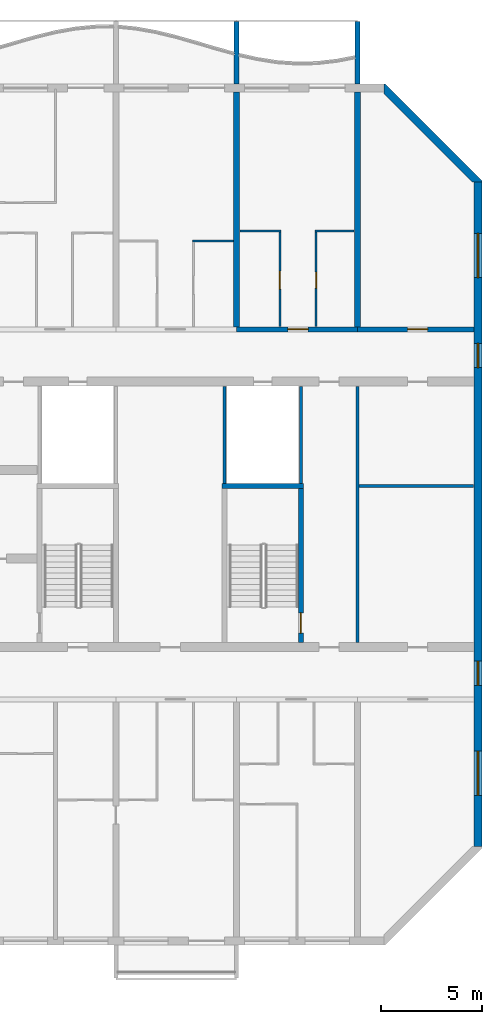
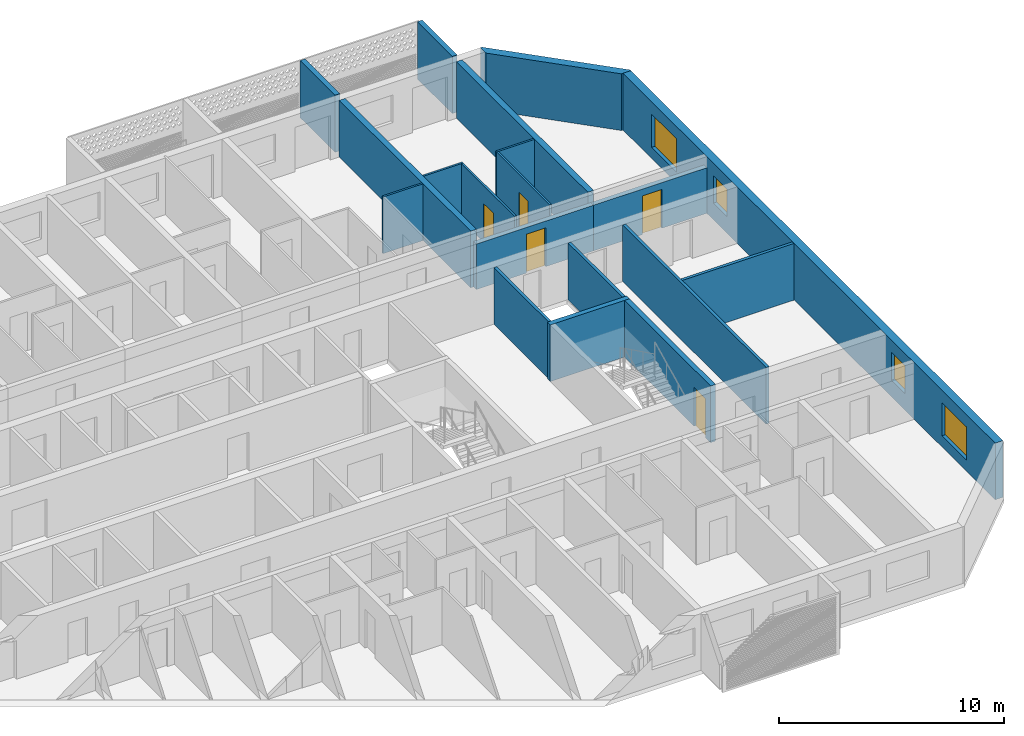
# One storey, part 13 of 33: 19 walls, 5 doors, 4 windows, 9 openings.
"""IFC4 building model written with IfcOpenShell, lengths in metres."""

from ifc_helpers import new_model, si_unit, direction, frame, frame_2d, origin, place, context, subcontext, project, spatial, polyline, rectangle, outline, extrude, source, transform, mapped, material, layer, layer_set, type_object, element, fill, save


model = new_model("IFC4")

# Units and contexts
model_context = context("Model", 3, precision=1e-05, world=origin(), true_north=direction((0.0, 1.0)))
body_context = subcontext(model_context, "Body", "Model", "MODEL_VIEW")
ifc_project = project(units=[si_unit("LENGTHUNIT", "METRE"), si_unit("AREAUNIT", "SQUARE_METRE"), si_unit("VOLUMEUNIT", "CUBIC_METRE"), si_unit("PLANEANGLEUNIT", "RADIAN"), si_unit("MASSUNIT", "GRAM", prefix="KILO")], contexts=[model_context])

# Site, building, storey
site_placement = place(None, origin())
site = spatial("IfcSite", under=ifc_project, at=site_placement, CompositionType="ELEMENT")
building_placement = place(site_placement, origin())
building = spatial("IfcBuilding", under=site, at=building_placement, Name="Poui Terraces", CompositionType="ELEMENT")
storey_placement = place(building_placement, frame((0.0, 0.0, 132.300048828125)))
storey = spatial("IfcBuildingStorey", under=building, at=storey_placement, Name="L36", CompositionType="ELEMENT", Elevation=132.300048828125)

# Wall
ifc_material_1 = material(Name="Fire-rated plasterboard wall")
ifc_layer_1 = layer(ifc_material_1, 0.14990234375)
ifc_layer_set_1 = layer_set([ifc_layer_1], Name="Fire-rated plasterboard wall")
wall_type_1 = type_object("IfcWallType", Name="CORRIDOR WALL 150", PredefinedType="PARTITIONING", material=ifc_layer_set_1)
wall_1_placement = place(storey_placement, frame((84.0, 14.8349609375, 0.0), z_axis=(0.0, 0.0, 1.0), x_axis=(0.0, 1.0, 0.0)))
element("IfcWall", 1, at=wall_1_placement, inside=storey, type_object=wall_type_1, Name="CORRIDOR WALL 150", PredefinedType="PARTITIONING", context=body_context, shape_type="SweptSolid", body=[
    extrude(rectangle(XDim=12.72998046875, YDim=0.14990234375, at=frame_2d((6.364990234375, 0.0))), origin(), (0.0, 0.0, 1.0), 3.070068359375),
])

# Wall, opening, door
ifc_material_2 = material(Name="Concrete 65 MPa", Category="concrete")
ifc_layer_2 = layer(ifc_material_2, 0.25)
ifc_layer_set_2 = layer_set([ifc_layer_2], Name="Concrete 65 MPa")
wall_type_2 = type_object("IfcWallType", Name="CORRIDOR WALL 250 65MPa", PredefinedType="SHEAR", material=ifc_layer_set_2)
wall_2_placement = place(storey_placement, frame((78.0, 30.39990234375, 0.0), z_axis=(0.0, 0.0, 1.0), x_axis=(1.0, 0.0, 0.0)))
wall_2 = element("IfcWall", 2, at=wall_2_placement, inside=storey, type_object=wall_type_2, Name="CORRIDOR WALL LINE E BAY 12", PredefinedType="SHEAR", context=body_context, shape_type="SweptSolid", body=[
    extrude(rectangle(XDim=6.0, YDim=0.25, at=frame_2d((3.0, 0.0))), origin(), (0.0, 0.0, 1.0), 2.469970703125),
])
opening_1_placement = place(wall_2_placement, frame((2.550048828125, 0.0, 0.0)))
opening_1 = element("IfcOpeningElement", 3, at=opening_1_placement, cuts=wall_2, Name="Opening FD30S", PredefinedType="OPENING", context=body_context, shape_type="SweptSolid", body=[
    extrude(rectangle(XDim=1.0, YDim=2.10009765625, at=frame_2d((0.5, 1.050048828125))), frame((0.0, 0.135009765625, 0.0), z_axis=(0.0, -1.0, 0.0), x_axis=(1.0, 0.0, 0.0)), (0.0, 0.0, 1.0), 0.27001953125),
])
ifc_material_3 = material(Name="Steel fire door", Category="steel")
door_type_1 = type_object("IfcDoorType", Name="FLAT ENTRANCE DOOR 1000 X 2100", OperationType="NOTDEFINED", PredefinedType="DOOR", material=ifc_material_3)
door_1_placement = place(opening_1_placement, origin())
door_1 = element("IfcDoor", 4, at=door_1_placement, inside=storey, type_object=door_type_1, Name="FLAT ENTRANCE DOOR 071", OperationType="SINGLE_SWING_RIGHT", OverallHeight=2.10009765625, OverallWidth=1.0, PredefinedType="DOOR", context=body_context, shape_type="SweptSolid", body=[
    extrude(rectangle(XDim=1.0, YDim=2.10009765625, at=frame_2d((0.5, 1.050048828125))), frame((0.0, 0.02490234375, 0.0), z_axis=(0.0, -1.0, 0.0), x_axis=(1.0, 0.0, 0.0)), (0.0, 0.0, 1.0), 0.050048828125),
])
fill(opening_1, door_1)

wall_3_placement = place(storey_placement, frame((84.0, 30.39990234375, 0.0), z_axis=(0.0, 0.0, 1.0), x_axis=(1.0, 0.0, 0.0)))
wall_3 = element("IfcWall", 5, at=wall_3_placement, inside=storey, type_object=wall_type_2, Name="CORRIDOR WALL LINE E BAY 13", PredefinedType="SHEAR", context=body_context, shape_type="SweptSolid", body=[
    extrude(rectangle(XDim=5.800048828125, YDim=0.25, at=frame_2d((2.89990234375, 0.0))), origin(), (0.0, 0.0, 1.0), 2.469970703125),
])
opening_2_placement = place(wall_3_placement, frame((2.5, 0.0, 0.0)))
opening_2 = element("IfcOpeningElement", 6, at=opening_2_placement, cuts=wall_3, Name="Opening D100", PredefinedType="OPENING", context=body_context, shape_type="SweptSolid", body=[
    extrude(rectangle(XDim=1.0, YDim=2.10009765625, at=frame_2d((0.5, 1.050048828125))), frame((0.0, 0.135009765625, 0.0), z_axis=(0.0, -1.0, 0.0), x_axis=(1.0, 0.0, 0.0)), (0.0, 0.0, 1.0), 0.27001953125),
])
ifc_material_4 = material(Name="Solid core timber door", Category="wood")
door_type_2 = type_object("IfcDoorType", Name="ACCESSIBLE INTERNAL DOOR 1000 X 2100", OperationType="NOTDEFINED", PredefinedType="DOOR", material=ifc_material_4)
door_2_placement = place(opening_2_placement, origin())
door_2 = element("IfcDoor", 7, at=door_2_placement, inside=storey, type_object=door_type_2, Name="ACCESSIBLE INTERNAL DOOR 073", OperationType="SINGLE_SWING_LEFT", OverallHeight=2.10009765625, OverallWidth=1.0, PredefinedType="DOOR", context=body_context, shape_type="SweptSolid", body=[
    extrude(rectangle(XDim=1.0, YDim=2.10009765625, at=frame_2d((0.5, 1.050048828125))), frame((0.0, 0.02490234375, 0.0), z_axis=(0.0, -1.0, 0.0), x_axis=(1.0, 0.0, 0.0)), (0.0, 0.0, 1.0), 0.050048828125),
])
fill(opening_2, door_2)

# Walls
ifc_layer_3 = layer(ifc_material_2, 0.300048828125)
ifc_layer_set_3 = layer_set([ifc_layer_3], Name="Concrete 65 MPa")
wall_type_3 = type_object("IfcWallType", Name="CROSS WALL 300 65MPa", PredefinedType="SHEAR", material=ifc_layer_set_3)
for number, where, z_axis, x_axis, name in (
    (8, (78.0, 30.52490234375, 0.0), (0.0, 0.0, 1.0), (0.0, 1.0, 0.0), "CROSS WALL LINE 14 NORTH"),
    (9, (84.0, 30.52490234375, 0.0), (0.0, 0.0, 1.0), (0.0, 1.0, 0.0), "CROSS WALL LINE 15 NORTH"),
):
    element("IfcWall", number, at=place(storey_placement, frame(where, z_axis=z_axis, x_axis=x_axis)), inside=storey, type_object=wall_type_3, Name=name, PredefinedType="SHEAR", context=body_context, shape_type="SweptSolid", body=[
        extrude(rectangle(XDim=11.675048828125, YDim=0.300048828125, at=frame_2d((5.83740234375, 0.0))), origin(), (0.0, 0.0, 1.0), 3.070068359375),
    ])

# Wall, openings, windows
ifc_layer_4 = layer(ifc_material_2, 0.39990234375)
ifc_layer_set_4 = layer_set([ifc_layer_4], Name="Concrete 65 MPa")
wall_type_4 = type_object("IfcWallType", Name="END WALL 400 65MPa", PredefinedType="SHEAR", material=ifc_layer_set_4)
wall_4_placement = place(storey_placement, frame((90.0, 4.682861328125, 0.0), z_axis=(0.0, 0.0, 1.0), x_axis=(0.0, 1.0, 0.0)))
wall_4 = element("IfcWall", 10, at=wall_4_placement, inside=storey, type_object=wall_type_4, Name="END WALL EAST", PredefinedType="SHEAR", context=body_context, shape_type="SweptSolid", body=[
    extrude(rectangle(XDim=33.034423828125, YDim=0.39990234375, at=frame_2d((16.51708984375, 0.0))), origin(), (0.0, 0.0, 1.0), 3.070068359375),
])
opening_3_placement = place(wall_4_placement, frame((23.817138671875, 0.0, 0.89990234375)))
opening_3 = element("IfcOpeningElement", 11, at=opening_3_placement, cuts=wall_4, Name="Opening W2", PredefinedType="OPENING", context=body_context, shape_type="SweptSolid", body=[
    extrude(rectangle(XDim=1.199951171875, YDim=1.5, at=frame_2d((0.60009765625, 0.75))), frame((0.0, 0.2099609375, 0.0), z_axis=(0.0, -1.0, 0.0), x_axis=(1.0, 0.0, 0.0)), (0.0, 0.0, 1.0), 0.419921875),
])
opening_4_placement = place(wall_4_placement, frame((8.01708984375, 0.0, 0.89990234375)))
opening_4 = element("IfcOpeningElement", 12, at=opening_4_placement, cuts=wall_4, Name="Opening W2", PredefinedType="OPENING", context=body_context, shape_type="SweptSolid", body=[
    extrude(rectangle(XDim=1.199951171875, YDim=1.5, at=frame_2d((0.60009765625, 0.75))), frame((0.0, 0.2099609375, 0.0), z_axis=(0.0, -1.0, 0.0), x_axis=(1.0, 0.0, 0.0)), (0.0, 0.0, 1.0), 0.419921875),
])
opening_5_placement = place(wall_4_placement, frame((28.29345703125, 0.0, 0.60009765625)))
opening_5 = element("IfcOpeningElement", 13, at=opening_5_placement, cuts=wall_4, Name="Opening W3", PredefinedType="OPENING", context=body_context, shape_type="SweptSolid", body=[
    extrude(rectangle(XDim=2.199951171875, YDim=1.800048828125, at=frame_2d((1.10009765625, 0.89990234375))), frame((0.0, 0.2099609375, 0.0), z_axis=(0.0, -1.0, 0.0), x_axis=(1.0, 0.0, 0.0)), (0.0, 0.0, 1.0), 0.419921875),
])
opening_6_placement = place(wall_4_placement, frame((2.541015625, 0.0, 0.60009765625)))
opening_6 = element("IfcOpeningElement", 14, at=opening_6_placement, cuts=wall_4, Name="Opening W3", PredefinedType="OPENING", context=body_context, shape_type="SweptSolid", body=[
    extrude(rectangle(XDim=2.199951171875, YDim=1.800048828125, at=frame_2d((1.10009765625, 0.89990234375))), frame((0.0, 0.2099609375, 0.0), z_axis=(0.0, -1.0, 0.0), x_axis=(1.0, 0.0, 0.0)), (0.0, 0.0, 1.0), 0.419921875),
])
ifc_material_5 = material(Name="Clear glass in aluminium frame", Category="aluminium")
window_type_1 = type_object("IfcWindowType", Name="WINDOW 1200X1500", PartitioningType="SINGLE_PANEL", PredefinedType="WINDOW", material=ifc_material_5)
window_1_placement = place(opening_3_placement, origin())
window_1 = element("IfcWindow", 15, at=window_1_placement, inside=storey, type_object=window_type_1, Name="W2 WINDOW", OverallHeight=1.5, OverallWidth=1.199951171875, PartitioningType="SINGLE_PANEL", PredefinedType="WINDOW", context=body_context, shape_type="SweptSolid", body=[
    extrude(rectangle(XDim=1.199951171875, YDim=1.5, at=frame_2d((0.60009765625, 0.75))), frame((0.0, 0.030029296875, 0.0), z_axis=(0.0, -1.0, 0.0), x_axis=(1.0, 0.0, 0.0)), (0.0, 0.0, 1.0), 0.06005859375),
])
fill(opening_3, window_1)
window_2_placement = place(opening_4_placement, origin())
window_2 = element("IfcWindow", 16, at=window_2_placement, inside=storey, type_object=window_type_1, Name="W2 WINDOW", OverallHeight=1.5, OverallWidth=1.199951171875, PartitioningType="SINGLE_PANEL", PredefinedType="WINDOW", context=body_context, shape_type="SweptSolid", body=[
    extrude(rectangle(XDim=1.199951171875, YDim=1.5, at=frame_2d((0.60009765625, 0.75))), frame((0.0, 0.030029296875, 0.0), z_axis=(0.0, -1.0, 0.0), x_axis=(1.0, 0.0, 0.0)), (0.0, 0.0, 1.0), 0.06005859375),
])
fill(opening_4, window_2)
window_type_2 = type_object("IfcWindowType", Name="WINDOW 2200X1800", PartitioningType="DOUBLE_PANEL_HORIZONTAL", PredefinedType="WINDOW", material=ifc_material_5)
window_3_placement = place(opening_5_placement, origin())
window_3 = element("IfcWindow", 17, at=window_3_placement, inside=storey, type_object=window_type_2, Name="W3 WINDOW", OverallHeight=1.800048828125, OverallWidth=2.199951171875, PartitioningType="DOUBLE_PANEL_HORIZONTAL", PredefinedType="WINDOW", context=body_context, shape_type="SweptSolid", body=[
    extrude(rectangle(XDim=2.199951171875, YDim=1.800048828125, at=frame_2d((1.10009765625, 0.89990234375))), frame((0.0, 0.030029296875, 0.0), z_axis=(0.0, -1.0, 0.0), x_axis=(1.0, 0.0, 0.0)), (0.0, 0.0, 1.0), 0.06005859375),
])
fill(opening_5, window_3)
window_4_placement = place(opening_6_placement, origin())
window_4 = element("IfcWindow", 18, at=window_4_placement, inside=storey, type_object=window_type_2, Name="W3 WINDOW", OverallHeight=1.800048828125, OverallWidth=2.199951171875, PartitioningType="DOUBLE_PANEL_HORIZONTAL", PredefinedType="WINDOW", context=body_context, shape_type="SweptSolid", body=[
    extrude(rectangle(XDim=2.199951171875, YDim=1.800048828125, at=frame_2d((1.10009765625, 0.89990234375))), frame((0.0, 0.030029296875, 0.0), z_axis=(0.0, -1.0, 0.0), x_axis=(1.0, 0.0, 0.0)), (0.0, 0.0, 1.0), 0.06005859375),
])
fill(opening_6, window_4)

# Walls
ifc_material_6 = material(Name="Plasterboard partition")
ifc_layer_5 = layer(ifc_material_6, 0.10009765625)
ifc_layer_set_5 = layer_set([ifc_layer_5], Name="Plasterboard partition")
wall_type_5 = type_object("IfcWallType", Name="FLAT PARTITION 100", PredefinedType="PARTITIONING", material=ifc_layer_set_5)
for number, where, z_axis, x_axis, name in (
    (19, (75.800048828125, 34.800048828125, 0.0), (0.0, 0.0, 1.0), (1.0, 0.0, 0.0), "FLAT PARTITION 100"),
    (20, (78.159912109375, 35.300048828125, 0.0), (0.0, 0.0, 1.0), (1.0, 0.0, 0.0), "FLAT PARTITION 100"),
):
    element("IfcWall", number, at=place(storey_placement, frame(where, z_axis=z_axis, x_axis=x_axis)), inside=storey, type_object=wall_type_5, Name=name, PredefinedType="PARTITIONING", context=body_context, shape_type="SweptSolid", body=[
        extrude(rectangle(XDim=2.0400390625, YDim=0.10009765625, at=frame_2d((1.02001953125, 0.0))), origin(), (0.0, 0.0, 1.0), 3.070068359375),
    ])
wall_5_placement = place(storey_placement, frame((81.89990234375, 35.300048828125, 0.0), z_axis=(0.0, 0.0, 1.0), x_axis=(1.0, 0.0, 0.0)))
element("IfcWall", 21, at=wall_5_placement, inside=storey, type_object=wall_type_5, Name="FLAT PARTITION 100", PredefinedType="PARTITIONING", context=body_context, shape_type="SweptSolid", body=[
    extrude(rectangle(XDim=1.940185546875, YDim=0.10009765625, at=frame_2d((0.97021484375, 0.0))), origin(), (0.0, 0.0, 1.0), 3.070068359375),
])

# Wall, opening, door
wall_6_placement = place(storey_placement, frame((80.14990234375, 30.534912109375, 0.0), z_axis=(0.0, 0.0, 1.0), x_axis=(0.0, 1.0, 0.0)))
wall_6 = element("IfcWall", 22, at=wall_6_placement, inside=storey, type_object=wall_type_5, Name="FLAT PARTITION 100", PredefinedType="PARTITIONING", context=body_context, shape_type="SweptSolid", body=[
    extrude(rectangle(XDim=4.715087890625, YDim=0.10009765625, at=frame_2d((2.357421875, 0.0))), origin(), (0.0, 0.0, 1.0), 3.070068359375),
])
opening_7_placement = place(wall_6_placement, frame((1.864990234375, 0.0, 0.0)))
opening_7 = element("IfcOpeningElement", 23, at=opening_7_placement, cuts=wall_6, Name="Opening D90", PredefinedType="OPENING", context=body_context, shape_type="SweptSolid", body=[
    extrude(rectangle(XDim=0.89990234375, YDim=2.10009765625, at=frame_2d((0.449951171875, 1.050048828125))), frame((0.0, 0.06005859375, 0.0), z_axis=(0.0, -1.0, 0.0), x_axis=(1.0, 0.0, 0.0)), (0.0, 0.0, 1.0), 0.1201171875),
])
door_type_3 = type_object("IfcDoorType", Name="INTERNAL DOOR 900 X 2100", OperationType="NOTDEFINED", PredefinedType="DOOR", material=ifc_material_4)
door_3_placement = place(opening_7_placement, origin())
door_3 = element("IfcDoor", 24, at=door_3_placement, inside=storey, type_object=door_type_3, Name="INTERNAL DOOR 070", OperationType="SINGLE_SWING_RIGHT", OverallHeight=2.10009765625, OverallWidth=0.89990234375, PredefinedType="DOOR", context=body_context, shape_type="SweptSolid", body=[
    extrude(rectangle(XDim=0.89990234375, YDim=2.10009765625, at=frame_2d((0.449951171875, 1.050048828125))), frame((0.0, 0.02490234375, 0.0), z_axis=(0.0, -1.0, 0.0), x_axis=(1.0, 0.0, 0.0)), (0.0, 0.0, 1.0), 0.050048828125),
])
fill(opening_7, door_3)

wall_7_placement = place(storey_placement, frame((81.949951171875, 30.534912109375, 0.0), z_axis=(0.0, 0.0, 1.0), x_axis=(0.0, 1.0, 0.0)))
wall_7 = element("IfcWall", 25, at=wall_7_placement, inside=storey, type_object=wall_type_5, Name="FLAT PARTITION 100", PredefinedType="PARTITIONING", context=body_context, shape_type="SweptSolid", body=[
    extrude(rectangle(XDim=4.715087890625, YDim=0.10009765625, at=frame_2d((2.357421875, 0.0))), origin(), (0.0, 0.0, 1.0), 3.070068359375),
])
opening_8_placement = place(wall_7_placement, frame((1.9150390625, 0.0, 0.0)))
opening_8 = element("IfcOpeningElement", 26, at=opening_8_placement, cuts=wall_7, Name="Opening D80", PredefinedType="OPENING", context=body_context, shape_type="SweptSolid", body=[
    extrude(rectangle(XDim=0.800048828125, YDim=2.10009765625, at=frame_2d((0.39990234375, 1.050048828125))), frame((0.0, 0.06005859375, 0.0), z_axis=(0.0, -1.0, 0.0), x_axis=(1.0, 0.0, 0.0)), (0.0, 0.0, 1.0), 0.1201171875),
])
door_type_4 = type_object("IfcDoorType", Name="BATHROOM, LAUNDRY AND STORE DOOR 800 X 2100", OperationType="NOTDEFINED", PredefinedType="DOOR", material=ifc_material_4)
door_4_placement = place(opening_8_placement, frame((0.800048828125, 0.0, 0.0), z_axis=(0.0, 0.0, 1.0), x_axis=(-1.0, 0.0, 0.0)))
door_4 = element("IfcDoor", 27, at=door_4_placement, inside=storey, type_object=door_type_4, Name="BATHROOM, LAUNDRY AND STORE DOOR 072", OperationType="SINGLE_SWING_RIGHT", OverallHeight=2.10009765625, OverallWidth=0.800048828125, PredefinedType="DOOR", context=body_context, shape_type="SweptSolid", body=[
    extrude(rectangle(XDim=0.800048828125, YDim=2.10009765625, at=frame_2d((0.39990234375, 1.050048828125))), frame((0.0, 0.02490234375, 0.0), z_axis=(0.0, -1.0, 0.0), x_axis=(1.0, 0.0, 0.0)), (0.0, 0.0, 1.0), 0.050048828125),
])
fill(opening_8, door_4)

# Walls
ifc_layer_6 = layer(ifc_material_6, 0.14990234375)
ifc_layer_set_6 = layer_set([ifc_layer_6], Name="Plasterboard partition")
wall_type_6 = type_object("IfcWallType", Name="PARTITION WALL 150", PredefinedType="PARTITIONING", material=ifc_layer_set_6)
wall_8_placement = place(storey_placement, frame((84.074951171875, 22.60009765625, 0.0), z_axis=(0.0, 0.0, 1.0), x_axis=(1.0, 0.0, 0.0)))
element("IfcWall", 28, at=wall_8_placement, inside=storey, type_object=wall_type_6, Name="PARTITION WALL 150", PredefinedType="PARTITIONING", context=body_context, shape_type="SweptSolid", body=[
    extrude(rectangle(XDim=5.715087890625, YDim=0.14990234375, at=frame_2d((2.857421875, 0.0))), origin(), (0.0, 0.0, 1.0), 3.070068359375),
])
ifc_material_7 = material(Name="Fire-rated plasterboard riser wall")
ifc_layer_7 = layer(ifc_material_7, 0.14990234375)
ifc_layer_set_7 = layer_set([ifc_layer_7], Name="Fire-rated plasterboard riser wall")
wall_type_7 = type_object("IfcWallType", Name="RISER WALL 150", PredefinedType="PARTITIONING", material=ifc_layer_set_7)
for number, where, z_axis, x_axis, name in (
    (29, (77.39990234375, 22.735107421875, 0.0), (0.0, 0.0, 1.0), (0.0, 1.0, 0.0), "RISER WALL 150"),
    (30, (81.199951171875, 22.735107421875, 0.0), (0.0, 0.0, 1.0), (0.0, 1.0, 0.0), "RISER WALL 150"),
):
    element("IfcWall", number, at=place(storey_placement, frame(where, z_axis=z_axis, x_axis=x_axis)), inside=storey, type_object=wall_type_7, Name=name, PredefinedType="PARTITIONING", context=body_context, shape_type="SweptSolid", body=[
        extrude(rectangle(XDim=4.829833984375, YDim=0.14990234375, at=frame_2d((2.4150390625, 0.0))), origin(), (0.0, 0.0, 1.0), 3.070068359375),
    ])

# Wall, opening, door
ifc_layer_8 = layer(ifc_material_2, 0.25)
ifc_layer_set_8 = layer_set([ifc_layer_8], Name="Concrete 65 MPa")
wall_type_8 = type_object("IfcWallType", Name="STAIR CORE WALL 250 65 MPA", PredefinedType="SOLIDWALL", material=ifc_layer_set_8)
wall_9_placement = place(storey_placement, frame((81.199951171875, 14.824951171875, 0.0), z_axis=(0.0, 0.0, 1.0), x_axis=(0.0, 1.0, 0.0)))
wall_9 = element("IfcWall", 31, at=wall_9_placement, inside=storey, type_object=wall_type_8, Name="STAIR CORE WALL", PredefinedType="SOLIDWALL", context=body_context, shape_type="SweptSolid", body=[
    extrude(rectangle(XDim=7.650146484375, YDim=0.25, at=frame_2d((3.8251953125, 0.0))), origin(), (0.0, 0.0, 1.0), 3.070068359375),
])
opening_9_placement = place(wall_9_placement, frame((0.47509765625, 0.0, 0.0)))
opening_9 = element("IfcOpeningElement", 32, at=opening_9_placement, cuts=wall_9, Name="Opening FD60S", PredefinedType="OPENING", context=body_context, shape_type="SweptSolid", body=[
    extrude(rectangle(XDim=1.0, YDim=2.10009765625, at=frame_2d((0.5, 1.050048828125))), frame((0.0, 0.135009765625, 0.0), z_axis=(0.0, -1.0, 0.0), x_axis=(1.0, 0.0, 0.0)), (0.0, 0.0, 1.0), 0.27001953125),
])
door_type_5 = type_object("IfcDoorType", Name="STAIR DOOR 1000 X 2100", OperationType="NOTDEFINED", PredefinedType="DOOR", material=ifc_material_3)
door_5_placement = place(opening_9_placement, origin())
door_5 = element("IfcDoor", 33, at=door_5_placement, inside=storey, type_object=door_type_5, Name="STAIR DOOR 132", OperationType="SINGLE_SWING_LEFT", OverallHeight=2.10009765625, OverallWidth=1.0, PredefinedType="DOOR", context=body_context, shape_type="SweptSolid", body=[
    extrude(rectangle(XDim=1.0, YDim=2.10009765625, at=frame_2d((0.5, 1.050048828125))), frame((0.0, 0.02490234375, 0.0), z_axis=(0.0, -1.0, 0.0), x_axis=(1.0, 0.0, 0.0)), (0.0, 0.0, 1.0), 0.050048828125),
])
fill(opening_9, door_5)

# Walls
wall_10_placement = place(storey_placement, frame((77.27490234375, 22.60009765625, 0.0), z_axis=(0.0, 0.0, 1.0), x_axis=(1.0, 0.0, 0.0)))
element("IfcWall", 34, at=wall_10_placement, inside=storey, type_object=wall_type_8, Name="STAIR CORE WALL", PredefinedType="SOLIDWALL", context=body_context, shape_type="SweptSolid", body=[
    extrude(rectangle(XDim=4.050048828125, YDim=0.25, at=frame_2d((2.02490234375, 0.0))), origin(), (0.0, 0.0, 1.0), 3.070068359375),
])
ifc_material_8 = material(Name="Precast concrete 40 MPa", Category="concrete")
ifc_layer_9 = layer(ifc_material_8, 0.39990234375)
ifc_layer_set_9 = layer_set([ifc_layer_9], Name="Precast concrete 40 MPa")
wall_type_9 = type_object("IfcWallType", Name="TERRACOTTA CLAD CHAMFER WALL 400", PredefinedType="STANDARD", material=ifc_layer_set_9)
wall_11_placement = place(storey_placement, origin())
element("IfcWall", 35, at=wall_11_placement, inside=storey, type_object=wall_type_9, Name="CHAMFER WALL CH03", PredefinedType="STANDARD", context=body_context, shape_type="SweptSolid", body=[
    extrude(outline(polyline([(90.199951171875, 37.71728515625), (90.199951171875, 37.800048828125), (85.39990234375, 42.60009765625), (85.317138671875, 42.60009765625), (85.317138671875, 42.1171875), (89.71728515625, 37.71728515625), (90.199951171875, 37.71728515625)])), origin(), (0.0, 0.0, 1.0), 3.070068359375),
])
ifc_layer_10 = layer(ifc_material_8, 0.25)
ifc_layer_set_10 = layer_set([ifc_layer_10], Name="Precast concrete 40 MPa")
wall_type_10 = type_object("IfcWallType", Name="BALCONY FIN 250", PredefinedType="STANDARD", material=ifc_layer_set_10)
shared_shape = source(origin(), body_context, "Body", "SweptSolid", [
    extrude(outline(polyline([(0.0, 0.0), (0.25, 0.0), (0.25, 3.099853515625), (0.0, 3.099853515625), (0.0, 0.0)])), origin(), (0.0, 0.0, 1.0), 3.099853515625),
])
for number, where, name in (
    (36, (77.875, 42.60009765625, 0.0), "BALCONY FIN"),
    (37, (83.875, 42.60009765625, 0.0), "BALCONY FIN"),
):
    element("IfcWall", number, at=place(storey_placement, frame(where)), inside=storey, type_object=wall_type_10, Name=name, PredefinedType="STANDARD", context=body_context, shape_type="MappedRepresentation", body=[
        mapped(shared_shape, transform((0.0, 0.0, 0.0))),
    ])

save(model, "model.ifc")
